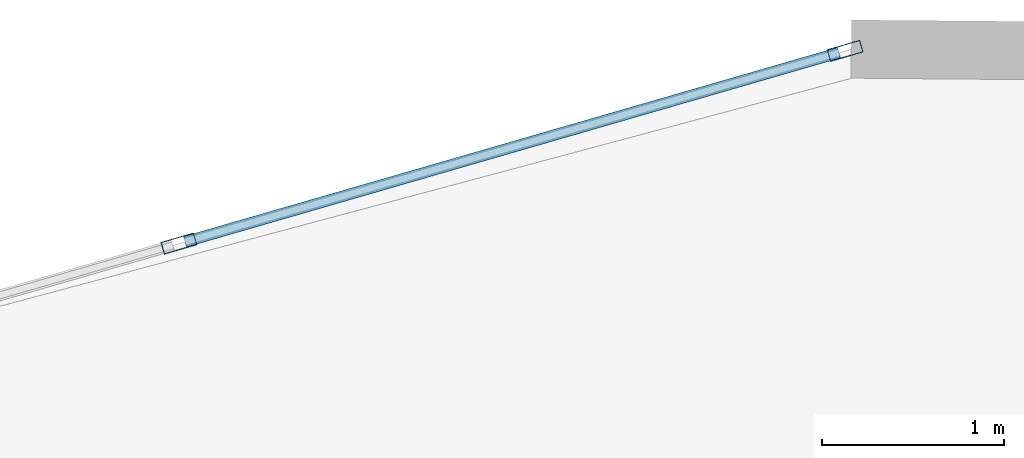
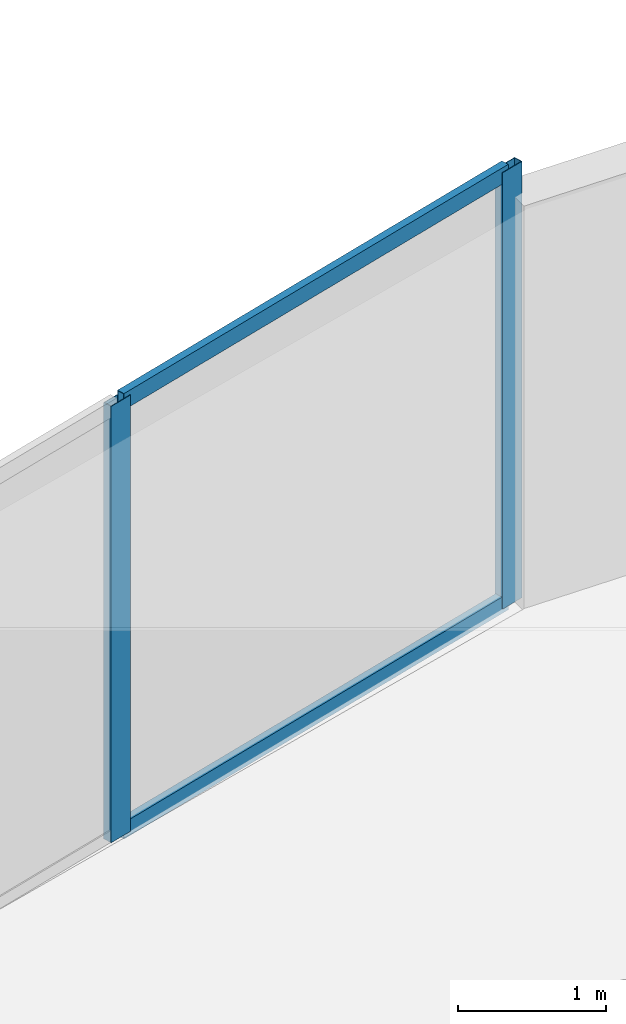
# One storey, part 16 of 24: 4 members, 1 element without a shape of its own.
"""IFC4 building model written with IfcOpenShell, lengths in metres."""

from ifc_helpers import new_model, si_unit, direction, frame, origin, origin_2d, place, context, subcontext, project, spatial, hollow_rectangle, extrude, source, transform, mapped, material, layer, layer_set, material_profile, profile_set, type_object, element, aggregate, save


model = new_model("IFC4")

# Units and contexts
model_context = context("Model", 3, precision=1e-05, world=origin(), true_north=direction((0.0, 1.0)))
body_context = subcontext(model_context, "Body", "Model", "MODEL_VIEW")
ifc_project = project(units=[si_unit("LENGTHUNIT", "METRE"), si_unit("AREAUNIT", "SQUARE_METRE"), si_unit("VOLUMEUNIT", "CUBIC_METRE"), si_unit("PLANEANGLEUNIT", "RADIAN"), si_unit("MASSUNIT", "GRAM", prefix="KILO")], contexts=[model_context])

# Site, building, storey
site_placement = place(None, origin())
site = spatial("IfcSite", under=ifc_project, at=site_placement, CompositionType="ELEMENT")
building_placement = place(site_placement, origin())
building = spatial("IfcBuilding", under=site, at=building_placement, Name="Solvirekh Grand Hotel", CompositionType="ELEMENT")
storey_placement = place(building_placement, frame((0.0, 0.0, 82.39990234375)))
storey = spatial("IfcBuildingStorey", under=building, at=storey_placement, Name="L20", CompositionType="ELEMENT", Elevation=82.39990234375)

# Curtain wall, members
ifc_material = material(Name="Anodized Bronze Aluminium 6063-T6", Category="aluminium")
ifc_layer = layer(ifc_material, 0.18994140625)
ifc_layer_set = layer_set([ifc_layer], Name="Anodized Bronze Aluminium 6063-T6")
curtain_wall_type = type_object("IfcCurtainWallType", Name="CW_Sys2_LowZoneFlushBronzeCW", PredefinedType="NOTDEFINED", material=ifc_layer_set)
curtain_wall_placement = place(storey_placement, origin())
curtain_wall = element("IfcCurtainWall", 1, at=curtain_wall_placement, inside=storey, type_object=curtain_wall_type, Name="L20 unitised bronze-glass curtain wall CW-L20-C08", PredefinedType="NOTDEFINED")
ifc_material_profile_1 = material_profile(ifc_material, hollow_rectangle(XDim=0.070068359375, YDim=0.18994140625, WallThickness=0.0048828125, at=origin_2d()), Name="ALU RHS 190X70X5")
ifc_profile_set_1 = profile_set([ifc_material_profile_1], Name="Anodized Bronze Aluminium 6063-T6")
member_type_1 = type_object("IfcMemberType", Name="CWMullion_Sys2", PredefinedType="MULLION", material=ifc_profile_set_1)
shared_shape_1 = source(origin(), body_context, "Body", "SweptSolid", [
    extrude(hollow_rectangle(XDim=0.070068359375, YDim=0.18994140625, WallThickness=0.0048828125, at=origin_2d()), origin(), (0.0, 0.0, 1.0), 3.60009765625),
])
member_1_placement = place(storey_placement, frame((-6.521728515625, 22.580322265625, 0.0), z_axis=(0.0, 0.0, 1.0), x_axis=(0.277856394995, -0.960622622969, 0.0)))
member_1 = element("IfcMember", 2, at=member_1_placement, type_object=member_type_1, Name="U02 mullion 1", PredefinedType="MULLION", context=body_context, shape_type="MappedRepresentation", body=[
    mapped(shared_shape_1, transform((0.0, 0.0, 0.0), x_axis=(1.0, 0.0, 0.0), y_axis=(0.0, 1.0, 0.0), z_axis=(0.0, 0.0, 1.0), scale=1.0)),
])
member_2_placement = place(storey_placement, frame((-10.18896484375, 21.51953125, 0.0), z_axis=(0.0, 0.0, 1.0), x_axis=(0.277856394995, -0.960622622969, 0.0)))
member_2 = element("IfcMember", 3, at=member_2_placement, type_object=member_type_1, Name="U02 mullion 2", PredefinedType="MULLION", context=body_context, shape_type="MappedRepresentation", body=[
    mapped(shared_shape_1, transform((0.0, 0.0, 0.0), x_axis=(1.0, 0.0, 0.0), y_axis=(0.0, 1.0, 0.0), z_axis=(0.0, 0.0, 1.0), scale=1.0)),
])
ifc_material_profile_2 = material_profile(ifc_material, hollow_rectangle(XDim=0.06005859375, YDim=0.135009765625, WallThickness=0.00390625, at=origin_2d()), Name="ALU RHS 135X60X4")
ifc_profile_set_2 = profile_set([ifc_material_profile_2], Name="Anodized Bronze Aluminium 6063-T6")
member_type_2 = type_object("IfcMemberType", Name="CWTransom_Sys2", PredefinedType="USERDEFINED", material=ifc_profile_set_2)
shared_shape_2 = source(origin(), body_context, "Body", "SweptSolid", [
    extrude(hollow_rectangle(XDim=0.06005859375, YDim=0.135009765625, WallThickness=0.00390625, at=origin_2d()), origin(), (0.0, 0.0, 1.0), 3.74755859375),
])
member_3_placement = place(storey_placement, frame((-6.55517578125, 22.570556640625, 0.030029296875), z_axis=(-0.96062651301, -0.277842945747, 0.0), x_axis=(0.277842945747, -0.96062651301, 0.0)))
member_3 = element("IfcMember", 4, at=member_3_placement, type_object=member_type_2, Name="U02 transom 1.1", ObjectType="TRANSOM", PredefinedType="USERDEFINED", context=body_context, shape_type="MappedRepresentation", body=[
    mapped(shared_shape_2, transform((0.0, 0.0, 0.0), x_axis=(1.0, 0.0, 0.0), y_axis=(0.0, 1.0, 0.0), z_axis=(0.0, 0.0, 1.0), scale=1.0)),
])
member_4_placement = place(storey_placement, frame((-6.55517578125, 22.570556640625, 3.570068359375), z_axis=(-0.96062651301, -0.277842945747, 0.0), x_axis=(0.277842945747, -0.96062651301, 0.0)))
member_4 = element("IfcMember", 5, at=member_4_placement, type_object=member_type_2, Name="U02 transom 1.2", ObjectType="TRANSOM", PredefinedType="USERDEFINED", context=body_context, shape_type="MappedRepresentation", body=[
    mapped(shared_shape_2, transform((0.0, 0.0, 0.0), x_axis=(1.0, 0.0, 0.0), y_axis=(0.0, 1.0, 0.0), z_axis=(0.0, 0.0, 1.0), scale=1.0)),
])
aggregate(curtain_wall, [member_1, member_2, member_3, member_4])

save(model, "model.ifc")
